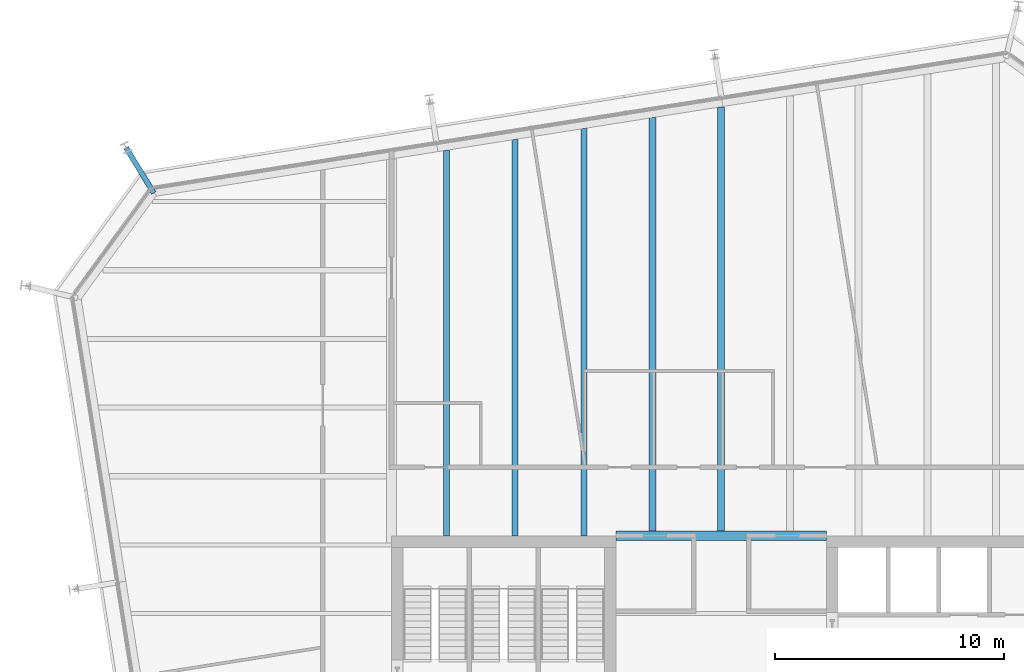
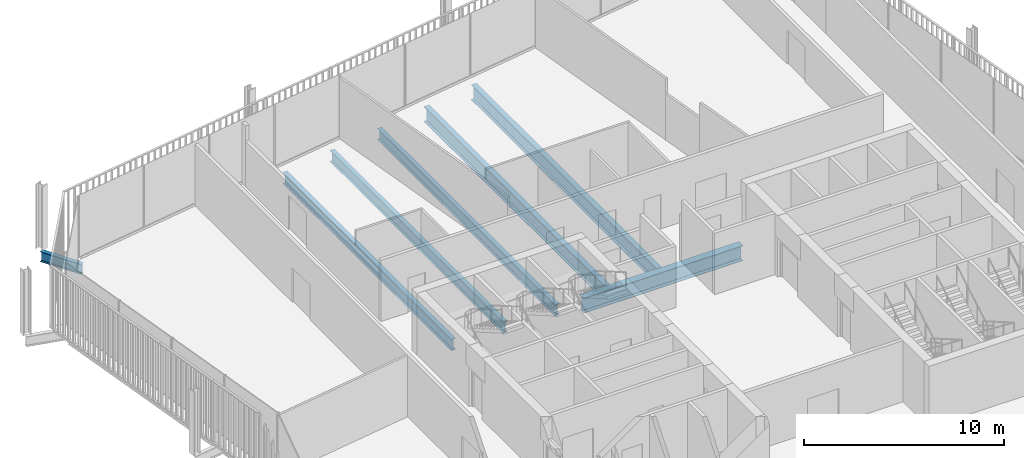
# One storey, part 11 of 20: 7 beams.
"""IFC4 building model written with IfcOpenShell, lengths in metres."""

from ifc_helpers import new_model, si_unit, direction, frame, origin, origin_2d, place, context, subcontext, project, spatial, i_section, extrude, material, material_profile, profile_set, type_object, element, save


model = new_model("IFC4")

# Units and contexts
model_context = context("Model", 3, precision=1e-05, world=origin(), true_north=direction((0.0, 1.0)))
body_context = subcontext(model_context, "Body", "Model", "MODEL_VIEW")
ifc_project = project(units=[si_unit("LENGTHUNIT", "METRE"), si_unit("AREAUNIT", "SQUARE_METRE"), si_unit("VOLUMEUNIT", "CUBIC_METRE"), si_unit("PLANEANGLEUNIT", "RADIAN"), si_unit("MASSUNIT", "GRAM", prefix="KILO")], contexts=[model_context])

# Site, building, storey
site_placement = place(None, origin())
site = spatial("IfcSite", under=ifc_project, at=site_placement, CompositionType="ELEMENT")
building_placement = place(site_placement, origin())
building = spatial("IfcBuilding", under=site, at=building_placement, Name="Millrace Tower", CompositionType="ELEMENT")
storey_placement = place(building_placement, frame((0.0, 0.0, 208.60009765625)))
storey = spatial("IfcBuildingStorey", under=building, at=storey_placement, Name="L47", CompositionType="ELEMENT", Elevation=208.60009765625)

# Beams
ifc_material_1 = material(Name="Steel ASTM A992 Grade 50", Category="steel")
ifc_material_profile_1 = material_profile(ifc_material_1, i_section(OverallWidth=0.256591796875, OverallDepth=0.693359375, WebThickness=0.014404296875, FlangeThickness=0.023681640625, FilletRadius=0.01513671875, at=origin_2d()))
ifc_profile_set_1 = profile_set([ifc_material_profile_1], Name="Steel ASTM A992 Grade 50")
beam_type_1 = type_object("IfcBeamType", Name="Floor beam W27x114", PredefinedType="JOIST", material=ifc_profile_set_1)
beam_1_placement = place(storey_placement, frame((-12.0, 9.39990234375, -0.5068359375), z_axis=(0.0, 1.0, 0.0), x_axis=(-1.0, 0.0, 0.0)))
element("IfcBeam", 1, at=beam_1_placement, inside=storey, type_object=beam_type_1, Name="BM-D-L47-S1-S036", PredefinedType="JOIST", context=body_context, shape_type="SweptSolid", body=[
    extrude(i_section(OverallWidth=0.256591796875, OverallDepth=0.693359375, WebThickness=0.014404296875, FlangeThickness=0.023681640625, FilletRadius=0.01513671875, at=origin_2d()), origin(), (0.0, 0.0, 1.0), 16.8369140625),
])
beam_2_placement = place(storey_placement, frame((-9.0, 9.39990234375, -0.5068359375), z_axis=(0.0, 1.0, 0.0), x_axis=(-1.0, 0.0, 0.0)))
element("IfcBeam", 2, at=beam_2_placement, inside=storey, type_object=beam_type_1, Name="BM-D-L47-S1-S038", PredefinedType="JOIST", context=body_context, shape_type="SweptSolid", body=[
    extrude(i_section(OverallWidth=0.256591796875, OverallDepth=0.693359375, WebThickness=0.014404296875, FlangeThickness=0.023681640625, FilletRadius=0.01513671875, at=origin_2d()), origin(), (0.0, 0.0, 1.0), 17.31201171875),
])
beam_3_placement = place(storey_placement, frame((-6.0, 9.39990234375, -0.5068359375), z_axis=(0.0, 1.0, 0.0), x_axis=(-1.0, 0.0, 0.0)))
element("IfcBeam", 3, at=beam_3_placement, inside=storey, type_object=beam_type_1, Name="BM-D-L47-S1-S040", PredefinedType="JOIST", context=body_context, shape_type="SweptSolid", body=[
    extrude(i_section(OverallWidth=0.256591796875, OverallDepth=0.693359375, WebThickness=0.014404296875, FlangeThickness=0.023681640625, FilletRadius=0.01513671875, at=origin_2d()), origin(), (0.0, 0.0, 1.0), 17.787109375),
])
ifc_material_2 = material(Name="Steel ASTM A992 Grade 50", Category="steel")
ifc_material_profile_2 = material_profile(ifc_material_2, i_section(OverallWidth=0.307373046875, OverallDepth=0.927001953125, WebThickness=0.01953125, FlangeThickness=0.031982421875, FilletRadius=0.01904296875, at=origin_2d()))
ifc_profile_set_2 = profile_set([ifc_material_profile_2], Name="Steel ASTM A992 Grade 50")
beam_type_2 = type_object("IfcBeamType", Name="Floor beam W36x194", PredefinedType="JOIST", material=ifc_profile_set_2)
beam_4_placement = place(storey_placement, frame((-3.0, 9.609619140625, -0.62353515625), z_axis=(0.0, 1.0, 0.0), x_axis=(-1.0, 0.0, 0.0)))
element("IfcBeam", 4, at=beam_4_placement, inside=storey, type_object=beam_type_2, Name="BM-D-L47-S1-S042", PredefinedType="JOIST", context=body_context, shape_type="SweptSolid", body=[
    extrude(i_section(OverallWidth=0.307373046875, OverallDepth=0.927001953125, WebThickness=0.01953125, FlangeThickness=0.031982421875, FilletRadius=0.01904296875, at=origin_2d()), origin(), (0.0, 0.0, 1.0), 18.052490234375),
])
beam_5_placement = place(storey_placement, frame((0.0, 9.609619140625, -0.62353515625), z_axis=(0.0, 1.0, 0.0), x_axis=(-1.0, 0.0, 0.0)))
element("IfcBeam", 5, at=beam_5_placement, inside=storey, type_object=beam_type_2, Name="BM-D-L47-S1-S044", PredefinedType="JOIST", context=body_context, shape_type="SweptSolid", body=[
    extrude(i_section(OverallWidth=0.307373046875, OverallDepth=0.927001953125, WebThickness=0.01953125, FlangeThickness=0.031982421875, FilletRadius=0.01904296875, at=origin_2d()), origin(), (0.0, 0.0, 1.0), 18.527587890625),
])
ifc_material_3 = material(Name="Steel ASTM A992 Grade 50", Category="steel")
ifc_material_profile_3 = material_profile(ifc_material_3, i_section(OverallWidth=0.419189453125, OverallDepth=0.927001953125, WebThickness=0.019287109375, FlangeThickness=0.031982421875, FilletRadius=0.024169921875, at=origin_2d()))
ifc_profile_set_3 = profile_set([ifc_material_profile_3], Name="Steel ASTM A992 Grade 50")
beam_type_3 = type_object("IfcBeamType", Name="Girder short span W36x231", PredefinedType="BEAM", material=ifc_profile_set_3)
beam_6_placement = place(storey_placement, frame((-4.60009765625, 9.39990234375, -0.62353515625), z_axis=(1.0, 0.0, 0.0), x_axis=(0.0, 1.0, 0.0)))
element("IfcBeam", 6, at=beam_6_placement, inside=storey, type_object=beam_type_3, Name="BM-D-L47-S1-G058", PredefinedType="BEAM", context=body_context, shape_type="SweptSolid", body=[
    extrude(i_section(OverallWidth=0.419189453125, OverallDepth=0.927001953125, WebThickness=0.019287109375, FlangeThickness=0.031982421875, FilletRadius=0.024169921875, at=origin_2d()), origin(), (0.0, 0.0, 1.0), 9.2001953125),
])
ifc_material_4 = material(Name="Steel ASTM A992 Grade 50", Category="steel")
ifc_material_profile_4 = material_profile(ifc_material_4, i_section(OverallWidth=0.23046875, OverallDepth=0.6171875, WebThickness=0.01318359375, FlangeThickness=0.022216796875, FilletRadius=0.012939453125, at=origin_2d()))
ifc_profile_set_4 = profile_set([ifc_material_profile_4], Name="Steel ASTM A992 Grade 50")
beam_type_4 = type_object("IfcBeamType", Name="Link beam W24x94", PredefinedType="BEAM", material=ifc_profile_set_4)
beam_7_placement = place(storey_placement, frame((-24.7783203125, 24.368408203125, -0.46875), z_axis=(-0.522512938711, 0.852631355792, 0.0), x_axis=(-0.852631355792, -0.522512938711, 0.0)))
element("IfcBeam", 7, at=beam_7_placement, inside=storey, type_object=beam_type_4, Name="LNK-D-L47-S1-05", PredefinedType="BEAM", context=body_context, shape_type="SweptSolid", body=[
    extrude(i_section(OverallWidth=0.23046875, OverallDepth=0.6171875, WebThickness=0.01318359375, FlangeThickness=0.022216796875, FilletRadius=0.012939453125, at=origin_2d()), origin(), (0.0, 0.0, 1.0), 2.3310546875),
])

save(model, "model.ifc")
